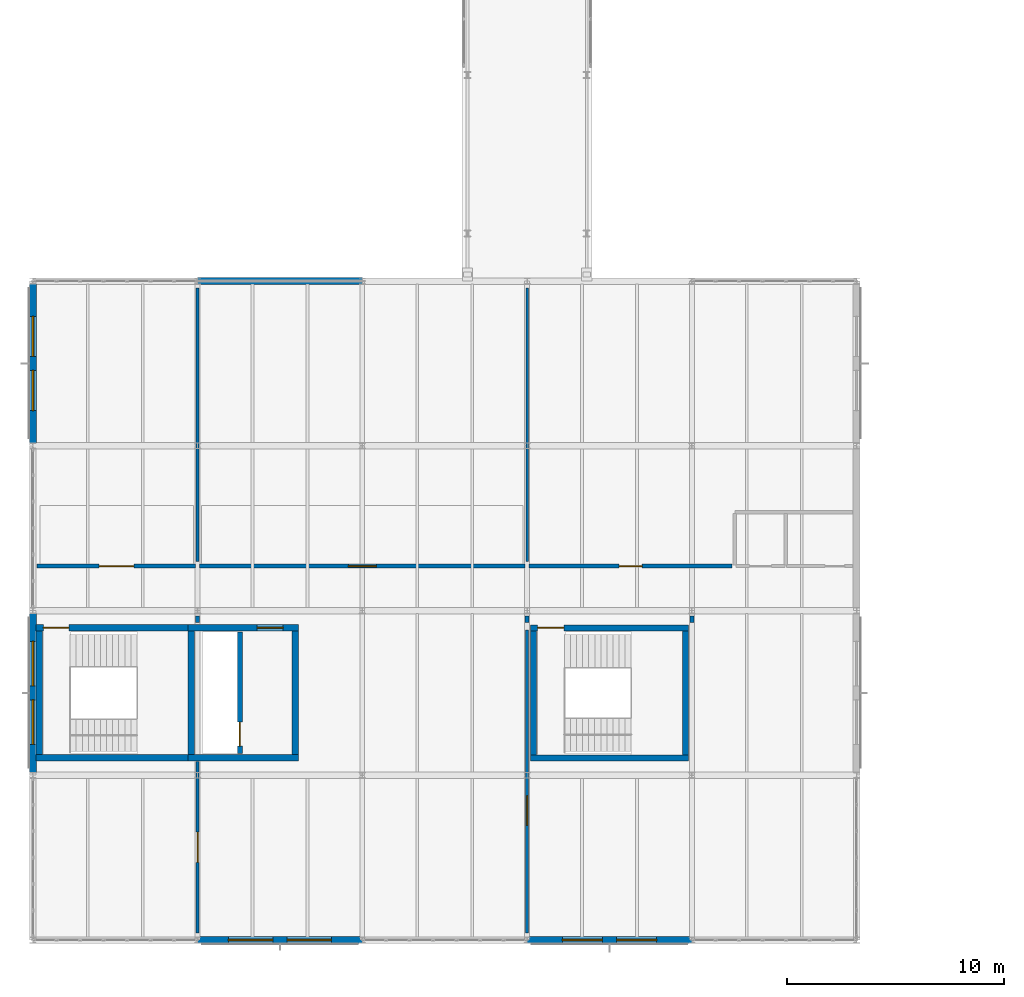
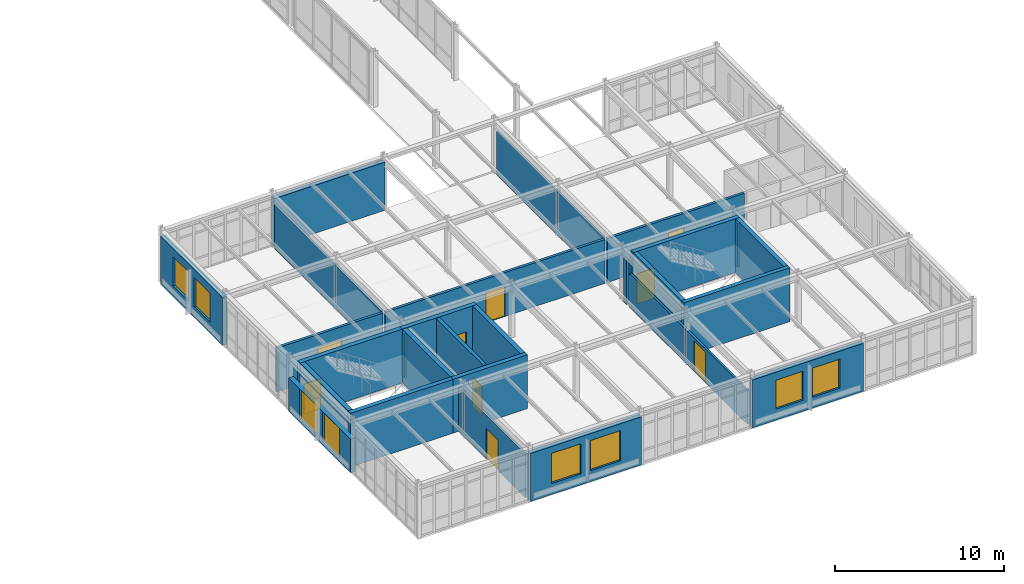
# One storey, part 132 of 165: 27 walls, 9 doors, 8 windows, 17 openings.
"""IFC4 building model written with IfcOpenShell, lengths in metres."""

from ifc_helpers import new_model, si_unit, direction, frame, frame_2d, origin, place, context, subcontext, project, spatial, rectangle, extrude, material, layer, layer_set, type_object, element, fill, save


model = new_model("IFC4")

# Units and contexts
model_context = context("Model", 3, precision=1e-05, world=origin(), true_north=direction((0.0, 1.0)))
body_context = subcontext(model_context, "Body", "Model", "MODEL_VIEW")
ifc_project = project(units=[si_unit("LENGTHUNIT", "METRE"), si_unit("AREAUNIT", "SQUARE_METRE"), si_unit("VOLUMEUNIT", "CUBIC_METRE"), si_unit("PLANEANGLEUNIT", "RADIAN"), si_unit("MASSUNIT", "GRAM", prefix="KILO")], contexts=[model_context])

# Site, building, storey
site_placement = place(None, origin())
site = spatial("IfcSite", under=ifc_project, at=site_placement, CompositionType="ELEMENT")
building_placement = place(site_placement, origin())
building = spatial("IfcBuilding", under=site, at=building_placement, Name="Montecoro Central Library", CompositionType="ELEMENT")
storey_placement = place(building_placement, frame((0.0, 0.0, 5.10009765625)))
storey = spatial("IfcBuildingStorey", under=building, at=storey_placement, Name="L01", CompositionType="ELEMENT", Elevation=5.10009765625)

# Wall, openings, windows
ifc_material_1 = material(Name="Roman travertine stone clad concrete C35/45", Category="masonry")
ifc_layer_1 = layer(ifc_material_1, 0.324951171875)
ifc_layer_set_1 = layer_set([ifc_layer_1], Name="Roman travertine stone clad concrete C35/45")
wall_type_1 = type_object("IfcWallType", Name="EW-TRV-325", PredefinedType="SOLIDWALL", material=ifc_layer_set_1)
wall_1_placement = place(storey_placement, frame((12.60400390625, 5.0, 0.0), z_axis=(0.0, 0.0, 1.0), x_axis=(1.0, 0.0, 0.0)))
wall_1 = element("IfcWall", 1, at=wall_1_placement, inside=storey, type_object=wall_type_1, Name="V3-L01-EW-S1", PredefinedType="SOLIDWALL", context=body_context, shape_type="SweptSolid", body=[
    extrude(rectangle(XDim=7.592041015625, YDim=0.324951171875, at=frame_2d((3.7958984375, 0.0))), origin(), (0.0, 0.0, 1.0), 3.47998046875),
])
opening_1_placement = place(wall_1_placement, frame((1.4208984375, 0.0, 0.800048828125)))
opening_1 = element("IfcOpeningElement", 2, at=opening_1_placement, cuts=wall_1, Name="Opening WN-13", PredefinedType="OPENING", context=body_context, shape_type="SweptSolid", body=[
    extrude(rectangle(XDim=2.050048828125, YDim=2.179931640625, at=frame_2d((1.02490234375, 1.08984375))), frame((0.0, 0.17236328125, 0.0), z_axis=(0.0, -1.0, 0.0), x_axis=(1.0, 0.0, 0.0)), (0.0, 0.0, 1.0), 0.344970703125),
])
opening_2_placement = place(wall_1_placement, frame((4.12109375, 0.0, 0.800048828125)))
opening_2 = element("IfcOpeningElement", 3, at=opening_2_placement, cuts=wall_1, Name="Opening WN-13", PredefinedType="OPENING", context=body_context, shape_type="SweptSolid", body=[
    extrude(rectangle(XDim=2.050048828125, YDim=2.179931640625, at=frame_2d((1.02490234375, 1.08984375))), frame((0.0, 0.17236328125, 0.0), z_axis=(0.0, -1.0, 0.0), x_axis=(1.0, 0.0, 0.0)), (0.0, 0.0, 1.0), 0.344970703125),
])
ifc_material_2 = material(Name="Laminated low-E double glazing", Category="glass")
window_type_1 = type_object("IfcWindowType", Name="WN-CHD-205", PartitioningType="SINGLE_PANEL", PredefinedType="WINDOW", material=ifc_material_2)
window_1_placement = place(opening_1_placement, origin())
window_1 = element("IfcWindow", 4, at=window_1_placement, inside=storey, type_object=window_type_1, Name="V3-L01-WN-S1-1", OverallHeight=2.179931640625, OverallWidth=2.050048828125, PartitioningType="SINGLE_PANEL", PredefinedType="WINDOW", context=body_context, shape_type="SweptSolid", body=[
    extrude(rectangle(XDim=2.050048828125, YDim=2.179931640625, at=frame_2d((1.02490234375, 1.08984375))), frame((0.0, 0.030029296875, 0.0), z_axis=(0.0, -1.0, 0.0), x_axis=(1.0, 0.0, 0.0)), (0.0, 0.0, 1.0), 0.06005859375),
])
fill(opening_1, window_1)
window_2_placement = place(opening_2_placement, origin())
window_2 = element("IfcWindow", 5, at=window_2_placement, inside=storey, type_object=window_type_1, Name="V3-L01-WN-S1-2", OverallHeight=2.179931640625, OverallWidth=2.050048828125, PartitioningType="SINGLE_PANEL", PredefinedType="WINDOW", context=body_context, shape_type="SweptSolid", body=[
    extrude(rectangle(XDim=2.050048828125, YDim=2.179931640625, at=frame_2d((1.02490234375, 1.08984375))), frame((0.0, 0.030029296875, 0.0), z_axis=(0.0, -1.0, 0.0), x_axis=(1.0, 0.0, 0.0)), (0.0, 0.0, 1.0), 0.06005859375),
])
fill(opening_2, window_2)

wall_2_placement = place(storey_placement, frame((27.803955078125, 5.0, 0.0), z_axis=(0.0, 0.0, 1.0), x_axis=(1.0, 0.0, 0.0)))
wall_2 = element("IfcWall", 6, at=wall_2_placement, inside=storey, type_object=wall_type_1, Name="V3-L01-EW-S3", PredefinedType="SOLIDWALL", context=body_context, shape_type="SweptSolid", body=[
    extrude(rectangle(XDim=7.592041015625, YDim=0.324951171875, at=frame_2d((3.7958984375, 0.0))), origin(), (0.0, 0.0, 1.0), 3.47998046875),
])
opening_3_placement = place(wall_2_placement, frame((1.62109375, 0.0, 0.800048828125)))
opening_3 = element("IfcOpeningElement", 7, at=opening_3_placement, cuts=wall_2, Name="Opening WN-11", PredefinedType="OPENING", context=body_context, shape_type="SweptSolid", body=[
    extrude(rectangle(XDim=1.85009765625, YDim=2.10009765625, at=frame_2d((0.925048828125, 1.050048828125))), frame((0.0, 0.17236328125, 0.0), z_axis=(0.0, -1.0, 0.0), x_axis=(1.0, 0.0, 0.0)), (0.0, 0.0, 1.0), 0.344970703125),
])
opening_4_placement = place(wall_2_placement, frame((4.12109375, 0.0, 0.800048828125)))
opening_4 = element("IfcOpeningElement", 8, at=opening_4_placement, cuts=wall_2, Name="Opening WN-11", PredefinedType="OPENING", context=body_context, shape_type="SweptSolid", body=[
    extrude(rectangle(XDim=1.85009765625, YDim=2.10009765625, at=frame_2d((0.925048828125, 1.050048828125))), frame((0.0, 0.17236328125, 0.0), z_axis=(0.0, -1.0, 0.0), x_axis=(1.0, 0.0, 0.0)), (0.0, 0.0, 1.0), 0.344970703125),
])
window_type_2 = type_object("IfcWindowType", Name="WN-CHD-185", PartitioningType="SINGLE_PANEL", PredefinedType="WINDOW", material=ifc_material_2)
window_3_placement = place(opening_3_placement, origin())
window_3 = element("IfcWindow", 9, at=window_3_placement, inside=storey, type_object=window_type_2, Name="V3-L01-WN-S3-1", OverallHeight=2.10009765625, OverallWidth=1.85009765625, PartitioningType="SINGLE_PANEL", PredefinedType="WINDOW", context=body_context, shape_type="SweptSolid", body=[
    extrude(rectangle(XDim=1.85009765625, YDim=2.10009765625, at=frame_2d((0.925048828125, 1.050048828125))), frame((0.0, 0.030029296875, 0.0), z_axis=(0.0, -1.0, 0.0), x_axis=(1.0, 0.0, 0.0)), (0.0, 0.0, 1.0), 0.06005859375),
])
fill(opening_3, window_3)
window_4_placement = place(opening_4_placement, origin())
window_4 = element("IfcWindow", 10, at=window_4_placement, inside=storey, type_object=window_type_2, Name="V3-L01-WN-S3-2", OverallHeight=2.10009765625, OverallWidth=1.85009765625, PartitioningType="SINGLE_PANEL", PredefinedType="WINDOW", context=body_context, shape_type="SweptSolid", body=[
    extrude(rectangle(XDim=1.85009765625, YDim=2.10009765625, at=frame_2d((0.925048828125, 1.050048828125))), frame((0.0, 0.030029296875, 0.0), z_axis=(0.0, -1.0, 0.0), x_axis=(1.0, 0.0, 0.0)), (0.0, 0.0, 1.0), 0.06005859375),
])
fill(opening_4, window_4)

# Wall
wall_3_placement = place(storey_placement, frame((20.196044921875, 35.39990234375, 0.0), z_axis=(0.0, 0.0, 1.0), x_axis=(-1.0, 0.0, 0.0)))
element("IfcWall", 11, at=wall_3_placement, inside=storey, type_object=wall_type_1, Name="V3-L01-EW-N1", PredefinedType="SOLIDWALL", context=body_context, shape_type="SweptSolid", body=[
    extrude(rectangle(XDim=7.592041015625, YDim=0.324951171875, at=frame_2d((3.7958984375, 0.0))), origin(), (0.0, 0.0, 1.0), 3.47998046875),
])

# Wall, openings, windows
wall_4_placement = place(storey_placement, frame((5.0, 35.261962890625, 0.0), z_axis=(0.0, 0.0, 1.0), x_axis=(0.0, -1.0, 0.0)))
wall_4 = element("IfcWall", 12, at=wall_4_placement, inside=storey, type_object=wall_type_1, Name="V3-L01-EW-W3", PredefinedType="SOLIDWALL", context=body_context, shape_type="SweptSolid", body=[
    extrude(rectangle(XDim=7.323974609375, YDim=0.324951171875, at=frame_2d((3.662109375, 0.0))), origin(), (0.0, 0.0, 1.0), 3.47998046875),
])
opening_5_placement = place(wall_4_placement, frame((1.487060546875, 0.0, 0.800048828125)))
opening_5 = element("IfcOpeningElement", 13, at=opening_5_placement, cuts=wall_4, Name="Opening WN-11", PredefinedType="OPENING", context=body_context, shape_type="SweptSolid", body=[
    extrude(rectangle(XDim=1.85009765625, YDim=2.10009765625, at=frame_2d((0.925048828125, 1.050048828125))), frame((0.0, 0.17236328125, 0.0), z_axis=(0.0, -1.0, 0.0), x_axis=(1.0, 0.0, 0.0)), (0.0, 0.0, 1.0), 0.344970703125),
])
opening_6_placement = place(wall_4_placement, frame((3.987060546875, 0.0, 0.800048828125)))
opening_6 = element("IfcOpeningElement", 14, at=opening_6_placement, cuts=wall_4, Name="Opening WN-11", PredefinedType="OPENING", context=body_context, shape_type="SweptSolid", body=[
    extrude(rectangle(XDim=1.85009765625, YDim=2.10009765625, at=frame_2d((0.925048828125, 1.050048828125))), frame((0.0, 0.17236328125, 0.0), z_axis=(0.0, -1.0, 0.0), x_axis=(1.0, 0.0, 0.0)), (0.0, 0.0, 1.0), 0.344970703125),
])
window_5_placement = place(opening_5_placement, origin())
window_5 = element("IfcWindow", 15, at=window_5_placement, inside=storey, type_object=window_type_2, Name="V3-L01-WN-W3-1", OverallHeight=2.10009765625, OverallWidth=1.85009765625, PartitioningType="SINGLE_PANEL", PredefinedType="WINDOW", context=body_context, shape_type="SweptSolid", body=[
    extrude(rectangle(XDim=1.85009765625, YDim=2.10009765625, at=frame_2d((0.925048828125, 1.050048828125))), frame((0.0, 0.030029296875, 0.0), z_axis=(0.0, -1.0, 0.0), x_axis=(1.0, 0.0, 0.0)), (0.0, 0.0, 1.0), 0.06005859375),
])
fill(opening_5, window_5)
window_6_placement = place(opening_6_placement, origin())
window_6 = element("IfcWindow", 16, at=window_6_placement, inside=storey, type_object=window_type_2, Name="V3-L01-WN-W3-2", OverallHeight=2.10009765625, OverallWidth=1.85009765625, PartitioningType="SINGLE_PANEL", PredefinedType="WINDOW", context=body_context, shape_type="SweptSolid", body=[
    extrude(rectangle(XDim=1.85009765625, YDim=2.10009765625, at=frame_2d((0.925048828125, 1.050048828125))), frame((0.0, 0.030029296875, 0.0), z_axis=(0.0, -1.0, 0.0), x_axis=(1.0, 0.0, 0.0)), (0.0, 0.0, 1.0), 0.06005859375),
])
fill(opening_6, window_6)

wall_5_placement = place(storey_placement, frame((5.0, 20.06201171875, 0.0), z_axis=(0.0, 0.0, 1.0), x_axis=(0.0, -1.0, 0.0)))
wall_5 = element("IfcWall", 17, at=wall_5_placement, inside=storey, type_object=wall_type_1, Name="V3-L01-EW-W1", PredefinedType="SOLIDWALL", context=body_context, shape_type="SweptSolid", body=[
    extrude(rectangle(XDim=7.323974609375, YDim=0.324951171875, at=frame_2d((3.662109375, 0.0))), origin(), (0.0, 0.0, 1.0), 2.44482421875),
])
opening_7_placement = place(wall_5_placement, frame((1.287109375, 0.0, 0.25)))
opening_7 = element("IfcOpeningElement", 18, at=opening_7_placement, cuts=wall_5, Name="Opening WN-13", PredefinedType="OPENING", context=body_context, shape_type="SweptSolid", body=[
    extrude(rectangle(XDim=2.050048828125, YDim=2.179931640625, at=frame_2d((1.02490234375, 1.08984375))), frame((0.0, 0.17236328125, 0.0), z_axis=(0.0, -1.0, 0.0), x_axis=(1.0, 0.0, 0.0)), (0.0, 0.0, 1.0), 0.344970703125),
])
opening_8_placement = place(wall_5_placement, frame((3.987060546875, 0.0, 0.25)))
opening_8 = element("IfcOpeningElement", 19, at=opening_8_placement, cuts=wall_5, Name="Opening WN-13", PredefinedType="OPENING", context=body_context, shape_type="SweptSolid", body=[
    extrude(rectangle(XDim=2.050048828125, YDim=2.179931640625, at=frame_2d((1.02490234375, 1.08984375))), frame((0.0, 0.17236328125, 0.0), z_axis=(0.0, -1.0, 0.0), x_axis=(1.0, 0.0, 0.0)), (0.0, 0.0, 1.0), 0.344970703125),
])
window_7_placement = place(opening_7_placement, origin())
window_7 = element("IfcWindow", 20, at=window_7_placement, inside=storey, type_object=window_type_1, Name="V3-L01-WN-W1-1", OverallHeight=2.179931640625, OverallWidth=2.050048828125, PartitioningType="SINGLE_PANEL", PredefinedType="WINDOW", context=body_context, shape_type="SweptSolid", body=[
    extrude(rectangle(XDim=2.050048828125, YDim=2.179931640625, at=frame_2d((1.02490234375, 1.08984375))), frame((0.0, 0.030029296875, 0.0), z_axis=(0.0, -1.0, 0.0), x_axis=(1.0, 0.0, 0.0)), (0.0, 0.0, 1.0), 0.06005859375),
])
fill(opening_7, window_7)
window_8_placement = place(opening_8_placement, origin())
window_8 = element("IfcWindow", 21, at=window_8_placement, inside=storey, type_object=window_type_1, Name="V3-L01-WN-W1-2", OverallHeight=2.179931640625, OverallWidth=2.050048828125, PartitioningType="SINGLE_PANEL", PredefinedType="WINDOW", context=body_context, shape_type="SweptSolid", body=[
    extrude(rectangle(XDim=2.050048828125, YDim=2.179931640625, at=frame_2d((1.02490234375, 1.08984375))), frame((0.0, 0.030029296875, 0.0), z_axis=(0.0, -1.0, 0.0), x_axis=(1.0, 0.0, 0.0)), (0.0, 0.0, 1.0), 0.06005859375),
])
fill(opening_8, window_8)

# Wall, opening, door
ifc_material_3 = material(Name="Gypsum fire-rated partition")
ifc_layer_2 = layer(ifc_material_3, 0.179931640625)
ifc_layer_set_2 = layer_set([ifc_layer_2], Name="Gypsum fire-rated partition")
wall_type_2 = type_object("IfcWallType", Name="IW-COR-180", PredefinedType="PARTITIONING", material=ifc_layer_set_2)
wall_6_placement = place(storey_placement, frame((5.199951171875, 22.25, 0.0), z_axis=(0.0, 0.0, 1.0), x_axis=(1.0, 0.0, 0.0)))
wall_6 = element("IfcWall", 22, at=wall_6_placement, inside=storey, type_object=wall_type_2, Name="CORW-V3-L01-01", PredefinedType="PARTITIONING", context=body_context, shape_type="SweptSolid", body=[
    extrude(rectangle(XDim=7.31005859375, YDim=0.179931640625, at=frame_2d((3.655029296875, 0.0))), origin(), (0.0, 0.0, 1.0), 3.179931640625),
])
opening_9_placement = place(wall_6_placement, frame((2.85498046875, 0.0, 0.0)))
opening_9 = element("IfcOpeningElement", 23, at=opening_9_placement, cuts=wall_6, Name="Opening ID-06", PredefinedType="OPENING", context=body_context, shape_type="SweptSolid", body=[
    extrude(rectangle(XDim=1.60009765625, YDim=2.25, at=frame_2d((0.800048828125, 1.125))), frame((0.0, 0.099853515625, 0.0), z_axis=(0.0, -1.0, 0.0), x_axis=(1.0, 0.0, 0.0)), (0.0, 0.0, 1.0), 0.199951171875),
])
ifc_material_4 = material(Name="Solid oak and fire-rated steel door", Category="steel")
door_type_1 = type_object("IfcDoorType", Name="ID-COR-160", OperationType="NOTDEFINED", PredefinedType="DOOR", material=ifc_material_4)
door_1_placement = place(opening_9_placement, origin())
door_1 = element("IfcDoor", 24, at=door_1_placement, inside=storey, type_object=door_type_1, Name="DR-SP-V3-L01-R1P1", OperationType="DOUBLE_DOOR_SINGLE_SWING", OverallHeight=2.25, OverallWidth=1.60009765625, PredefinedType="DOOR", context=body_context, shape_type="SweptSolid", body=[
    extrude(rectangle(XDim=1.60009765625, YDim=2.25, at=frame_2d((0.800048828125, 1.125))), frame((0.0, 0.02490234375, 0.0), z_axis=(0.0, -1.0, 0.0), x_axis=(1.0, 0.0, 0.0)), (0.0, 0.0, 1.0), 0.050048828125),
])
fill(opening_9, door_1)

wall_7_placement = place(storey_placement, frame((12.68994140625, 22.25, 0.0), z_axis=(0.0, 0.0, 1.0), x_axis=(1.0, 0.0, 0.0)))
wall_7 = element("IfcWall", 25, at=wall_7_placement, inside=storey, type_object=wall_type_2, Name="CORW-V3-L01-02", PredefinedType="PARTITIONING", context=body_context, shape_type="SweptSolid", body=[
    extrude(rectangle(XDim=15.02001953125, YDim=0.179931640625, at=frame_2d((7.510009765625, 0.0))), origin(), (0.0, 0.0, 1.0), 3.179931640625),
])
opening_10_placement = place(wall_7_placement, frame((6.860107421875, 0.0, 0.0)))
opening_10 = element("IfcOpeningElement", 26, at=opening_10_placement, cuts=wall_7, Name="Opening ID-04", PredefinedType="OPENING", context=body_context, shape_type="SweptSolid", body=[
    extrude(rectangle(XDim=1.300048828125, YDim=2.199951171875, at=frame_2d((0.64990234375, 1.10009765625))), frame((0.0, 0.099853515625, 0.0), z_axis=(0.0, -1.0, 0.0), x_axis=(1.0, 0.0, 0.0)), (0.0, 0.0, 1.0), 0.199951171875),
])
door_type_2 = type_object("IfcDoorType", Name="ID-VLT-130", OperationType="NOTDEFINED", PredefinedType="DOOR", material=ifc_material_4)
door_2_placement = place(opening_10_placement, origin())
door_2 = element("IfcDoor", 27, at=door_2_placement, inside=storey, type_object=door_type_2, Name="DR-SP-V3-L01-R2P1", OperationType="SINGLE_SWING_LEFT", OverallHeight=2.199951171875, OverallWidth=1.300048828125, PredefinedType="DOOR", context=body_context, shape_type="SweptSolid", body=[
    extrude(rectangle(XDim=1.300048828125, YDim=2.199951171875, at=frame_2d((0.64990234375, 1.10009765625))), frame((0.0, 0.02490234375, 0.0), z_axis=(0.0, -1.0, 0.0), x_axis=(1.0, 0.0, 0.0)), (0.0, 0.0, 1.0), 0.050048828125),
])
fill(opening_10, door_2)

wall_8_placement = place(storey_placement, frame((27.889892578125, 22.25, 0.0), z_axis=(0.0, 0.0, 1.0), x_axis=(1.0, 0.0, 0.0)))
wall_8 = element("IfcWall", 28, at=wall_8_placement, inside=storey, type_object=wall_type_2, Name="CORW-V3-L01-03", PredefinedType="PARTITIONING", context=body_context, shape_type="SweptSolid", body=[
    extrude(rectangle(XDim=9.3701171875, YDim=0.179931640625, at=frame_2d((4.68505859375, 0.0))), origin(), (0.0, 0.0, 1.0), 3.179931640625),
])
opening_11_placement = place(wall_8_placement, frame((4.159912109375, 0.0, 0.0)))
opening_11 = element("IfcOpeningElement", 29, at=opening_11_placement, cuts=wall_8, Name="Opening ID-13", PredefinedType="OPENING", context=body_context, shape_type="SweptSolid", body=[
    extrude(rectangle(XDim=1.050048828125, YDim=2.14990234375, at=frame_2d((0.52490234375, 1.074951171875))), frame((0.0, 0.099853515625, 0.0), z_axis=(0.0, -1.0, 0.0), x_axis=(1.0, 0.0, 0.0)), (0.0, 0.0, 1.0), 0.199951171875),
])
door_type_3 = type_object("IfcDoorType", Name="ID-RM-105", OperationType="NOTDEFINED", PredefinedType="DOOR", material=ifc_material_4)
door_3_placement = place(opening_11_placement, origin())
door_3 = element("IfcDoor", 30, at=door_3_placement, inside=storey, type_object=door_type_3, Name="DR-SP-V3-L01-R3P1", OperationType="SINGLE_SWING_LEFT", OverallHeight=2.14990234375, OverallWidth=1.050048828125, PredefinedType="DOOR", context=body_context, shape_type="SweptSolid", body=[
    extrude(rectangle(XDim=1.050048828125, YDim=2.14990234375, at=frame_2d((0.52490234375, 1.074951171875))), frame((0.0, 0.02490234375, 0.0), z_axis=(0.0, -1.0, 0.0), x_axis=(1.0, 0.0, 0.0)), (0.0, 0.0, 1.0), 0.050048828125),
])
fill(opening_11, door_3)

# Walls
for number, where, z_axis, x_axis, name in (
    (31, (12.60009765625, 19.639892578125, 0.0), (0.0, 0.0, 1.0), (0.0, 1.0, 0.0), "PIL-V3-L01-1"),
    (32, (27.800048828125, 19.639892578125, 0.0), (0.0, 0.0, 1.0), (0.0, 1.0, 0.0), "PIL-V3-L01-2"),
    (33, (35.39990234375, 19.639892578125, 0.0), (0.0, 0.0, 1.0), (0.0, 1.0, 0.0), "PIL-V3-L01-3"),
):
    element("IfcWall", number, at=place(storey_placement, frame(where, z_axis=z_axis, x_axis=x_axis)), inside=storey, type_object=wall_type_2, Name=name, PredefinedType="PARTITIONING", context=body_context, shape_type="SweptSolid", body=[
        extrude(rectangle(XDim=0.320068359375, YDim=0.179931640625, at=frame_2d((0.16015625, 0.0))), origin(), (0.0, 0.0, 1.0), 3.179931640625),
    ])

# Wall, opening, door
ifc_material_5 = material(Name="Concrete C32/40", Category="concrete")
ifc_layer_3 = layer(ifc_material_5, 0.219970703125)
ifc_layer_set_3 = layer_set([ifc_layer_3], Name="Concrete C32/40")
wall_type_3 = type_object("IfcWallType", Name="IW-FFL-220", PredefinedType="SOLIDWALL", material=ifc_layer_set_3)
wall_9_placement = place(storey_placement, frame((14.550048828125, 13.60009765625, 0.0), z_axis=(0.0, 0.0, 1.0), x_axis=(0.0, 1.0, 0.0)))
wall_9 = element("IfcWall", 34, at=wall_9_placement, inside=storey, type_object=wall_type_3, Name="C4-L01-WLSH", PredefinedType="SOLIDWALL", context=body_context, shape_type="SweptSolid", body=[
    extrude(rectangle(XDim=5.599853515625, YDim=0.219970703125, at=frame_2d((2.7998046875, 0.0))), origin(), (0.0, 0.0, 1.0), 3.90185546875),
])
opening_12_placement = place(wall_9_placement, frame((0.35009765625, 0.0, 0.0)))
opening_12 = element("IfcOpeningElement", 35, at=opening_12_placement, cuts=wall_9, Name="Opening LD-01", PredefinedType="OPENING", context=body_context, shape_type="SweptSolid", body=[
    extrude(rectangle(XDim=1.10009765625, YDim=2.14990234375, at=frame_2d((0.550048828125, 1.074951171875))), frame((0.0, 0.119873046875, 0.0), z_axis=(0.0, -1.0, 0.0), x_axis=(1.0, 0.0, 0.0)), (0.0, 0.0, 1.0), 0.239990234375),
])
door_type_4 = type_object("IfcDoorType", Name="LD-LIFT-110", OperationType="NOTDEFINED", PredefinedType="DOOR", material=ifc_material_4)
door_4_placement = place(opening_12_placement, origin())
door_4 = element("IfcDoor", 36, at=door_4_placement, inside=storey, type_object=door_type_4, Name="C4-L01-LD-PL-04", OperationType="SLIDING_TO_LEFT", OverallHeight=2.14990234375, OverallWidth=1.10009765625, PredefinedType="DOOR", context=body_context, shape_type="SweptSolid", body=[
    extrude(rectangle(XDim=1.10009765625, YDim=2.14990234375, at=frame_2d((0.550048828125, 1.074951171875))), frame((0.0, 0.02490234375, 0.0), z_axis=(0.0, -1.0, 0.0), x_axis=(1.0, 0.0, 0.0)), (0.0, 0.0, 1.0), 0.050048828125),
])
fill(opening_12, door_4)

# Walls
ifc_material_6 = material(Name="Gypsum metal-stud partition")
ifc_layer_4 = layer(ifc_material_6, 0.1201171875)
ifc_layer_set_4 = layer_set([ifc_layer_4], Name="Gypsum metal-stud partition")
wall_type_4 = type_object("IfcWallType", Name="IW-PRT-120", PredefinedType="PARTITIONING", material=ifc_layer_set_4)
wall_10_placement = place(storey_placement, frame((27.800048828125, 22.4599609375, 0.0), z_axis=(0.0, 0.0, 1.0), x_axis=(0.0, 1.0, 0.0)))
element("IfcWall", 37, at=wall_10_placement, inside=storey, type_object=wall_type_4, Name="DIVW-V3-L01-02-1", PredefinedType="PARTITIONING", context=body_context, shape_type="SweptSolid", body=[
    extrude(rectangle(XDim=12.6201171875, YDim=0.1201171875, at=frame_2d((6.31005859375, 0.0))), origin(), (0.0, 0.0, 1.0), 3.179931640625),
])
ifc_layer_5 = layer(ifc_material_6, 0.139892578125)
ifc_layer_set_5 = layer_set([ifc_layer_5], Name="Gypsum metal-stud partition")
wall_type_5 = type_object("IfcWallType", Name="IW-PRT-140", PredefinedType="PARTITIONING", material=ifc_layer_set_5)
wall_11_placement = place(storey_placement, frame((12.60009765625, 22.4599609375, 0.0), z_axis=(0.0, 0.0, 1.0), x_axis=(0.0, 1.0, 0.0)))
element("IfcWall", 38, at=wall_11_placement, inside=storey, type_object=wall_type_5, Name="DIVW-V3-L01-01-1", PredefinedType="PARTITIONING", context=body_context, shape_type="SweptSolid", body=[
    extrude(rectangle(XDim=12.6201171875, YDim=0.139892578125, at=frame_2d((6.31005859375, 0.0))), origin(), (0.0, 0.0, 1.0), 3.179931640625),
])

# Wall, opening, door
wall_12_placement = place(storey_placement, frame((12.60009765625, 5.320068359375, 0.0), z_axis=(0.0, 0.0, 1.0), x_axis=(0.0, 1.0, 0.0)))
wall_12 = element("IfcWall", 39, at=wall_12_placement, inside=storey, type_object=wall_type_5, Name="DIVWS-V3-L01-01-1", PredefinedType="PARTITIONING", context=body_context, shape_type="SweptSolid", body=[
    extrude(rectangle(XDim=7.919921875, YDim=0.139892578125, at=frame_2d((3.9599609375, 0.0))), origin(), (0.0, 0.0, 1.0), 3.179931640625),
])
opening_13_placement = place(wall_12_placement, frame((3.260009765625, 0.0, 0.0)))
opening_13 = element("IfcOpeningElement", 40, at=opening_13_placement, cuts=wall_12, Name="Opening ID-08", PredefinedType="OPENING", context=body_context, shape_type="SweptSolid", body=[
    extrude(rectangle(XDim=1.39990234375, YDim=2.219970703125, at=frame_2d((0.699951171875, 1.10986328125))), frame((0.0, 0.079833984375, 0.0), z_axis=(0.0, -1.0, 0.0), x_axis=(1.0, 0.0, 0.0)), (0.0, 0.0, 1.0), 0.159912109375),
])
door_type_5 = type_object("IfcDoorType", Name="ID-RDG-140", OperationType="NOTDEFINED", PredefinedType="DOOR", material=ifc_material_4)
door_5_placement = place(opening_13_placement, origin())
door_5 = element("IfcDoor", 41, at=door_5_placement, inside=storey, type_object=door_type_5, Name="DR-SP-V3-L01-R1P2", OperationType="SINGLE_SWING_RIGHT", OverallHeight=2.219970703125, OverallWidth=1.39990234375, PredefinedType="DOOR", context=body_context, shape_type="SweptSolid", body=[
    extrude(rectangle(XDim=1.39990234375, YDim=2.219970703125, at=frame_2d((0.699951171875, 1.10986328125))), frame((0.0, 0.02490234375, 0.0), z_axis=(0.0, -1.0, 0.0), x_axis=(1.0, 0.0, 0.0)), (0.0, 0.0, 1.0), 0.050048828125),
])
fill(opening_13, door_5)

wall_13_placement = place(storey_placement, frame((27.800048828125, 5.320068359375, 0.0), z_axis=(0.0, 0.0, 1.0), x_axis=(0.0, 1.0, 0.0)))
wall_13 = element("IfcWall", 42, at=wall_13_placement, inside=storey, type_object=wall_type_5, Name="DIVWS-V3-L01-02-1", PredefinedType="PARTITIONING", context=body_context, shape_type="SweptSolid", body=[
    extrude(rectangle(XDim=13.989990234375, YDim=0.139892578125, at=frame_2d((6.9951171875, 0.0))), origin(), (0.0, 0.0, 1.0), 2.44482421875),
])
opening_14_placement = place(wall_13_placement, frame((4.965087890625, 0.0, 0.0)))
opening_14 = element("IfcOpeningElement", 43, at=opening_14_placement, cuts=wall_13, Name="Opening ID-05", PredefinedType="OPENING", context=body_context, shape_type="SweptSolid", body=[
    extrude(rectangle(XDim=1.360107421875, YDim=2.199951171875, at=frame_2d((0.68017578125, 1.10009765625))), frame((0.0, 0.079833984375, 0.0), z_axis=(0.0, -1.0, 0.0), x_axis=(1.0, 0.0, 0.0)), (0.0, 0.0, 1.0), 0.159912109375),
])
door_type_6 = type_object("IfcDoorType", Name="ID-VLT-136", OperationType="NOTDEFINED", PredefinedType="DOOR", material=ifc_material_4)
door_6_placement = place(opening_14_placement, origin())
door_6 = element("IfcDoor", 44, at=door_6_placement, inside=storey, type_object=door_type_6, Name="DR-SP-V3-L01-R2P2", OperationType="SINGLE_SWING_RIGHT", OverallHeight=2.199951171875, OverallWidth=1.360107421875, PredefinedType="DOOR", context=body_context, shape_type="SweptSolid", body=[
    extrude(rectangle(XDim=1.360107421875, YDim=2.199951171875, at=frame_2d((0.68017578125, 1.10009765625))), frame((0.0, 0.02490234375, 0.0), z_axis=(0.0, -1.0, 0.0), x_axis=(1.0, 0.0, 0.0)), (0.0, 0.0, 1.0), 0.050048828125),
])
fill(opening_14, door_6)

# Wall
ifc_material_7 = material(Name="Concrete C35/45", Category="concrete")
ifc_layer_6 = layer(ifc_material_7, 0.280029296875)
ifc_layer_set_6 = layer_set([ifc_layer_6], Name="Concrete C35/45")
wall_type_6 = type_object("IfcWallType", Name="IW-SHR-280", PredefinedType="SHEAR", material=ifc_layer_set_6)
wall_14_placement = place(storey_placement, frame((27.9599609375, 13.39990234375, 0.0), z_axis=(0.0, 0.0, 1.0), x_axis=(1.0, 0.0, 0.0)))
element("IfcWall", 45, at=wall_14_placement, inside=storey, type_object=wall_type_6, Name="C11-L01-WS", PredefinedType="SHEAR", context=body_context, shape_type="SweptSolid", body=[
    extrude(rectangle(XDim=7.280029296875, YDim=0.280029296875, at=frame_2d((3.64013671875, 0.0))), origin(), (0.0, 0.0, 1.0), 3.90185546875),
])

# Wall, opening, door
wall_15_placement = place(storey_placement, frame((27.9599609375, 19.39990234375, 0.0), z_axis=(0.0, 0.0, 1.0), x_axis=(1.0, 0.0, 0.0)))
wall_15 = element("IfcWall", 46, at=wall_15_placement, inside=storey, type_object=wall_type_6, Name="C11-L01-WN", PredefinedType="SHEAR", context=body_context, shape_type="SweptSolid", body=[
    extrude(rectangle(XDim=7.280029296875, YDim=0.280029296875, at=frame_2d((3.64013671875, 0.0))), origin(), (0.0, 0.0, 1.0), 3.90185546875),
])
opening_15_placement = place(wall_15_placement, frame((0.320068359375, 0.0, 0.0)))
opening_15 = element("IfcOpeningElement", 47, at=opening_15_placement, cuts=wall_15, Name="Opening ID-01", PredefinedType="OPENING", context=body_context, shape_type="SweptSolid", body=[
    extrude(rectangle(XDim=1.219970703125, YDim=2.179931640625, at=frame_2d((0.60986328125, 1.08984375))), frame((0.0, 0.14990234375, 0.0), z_axis=(0.0, -1.0, 0.0), x_axis=(1.0, 0.0, 0.0)), (0.0, 0.0, 1.0), 0.300048828125),
])
door_type_7 = type_object("IfcDoorType", Name="ID-STR-140", OperationType="NOTDEFINED", PredefinedType="DOOR", material=ifc_material_4)
door_7_placement = place(opening_15_placement, origin())
door_7 = element("IfcDoor", 48, at=door_7_placement, inside=storey, type_object=door_type_7, Name="C11-L01-DSTR", OperationType="SINGLE_SWING_LEFT", OverallHeight=2.179931640625, OverallWidth=1.219970703125, PredefinedType="DOOR", context=body_context, shape_type="SweptSolid", body=[
    extrude(rectangle(XDim=1.219970703125, YDim=2.179931640625, at=frame_2d((0.60986328125, 1.08984375))), frame((0.0, 0.02490234375, 0.0), z_axis=(0.0, -1.0, 0.0), x_axis=(1.0, 0.0, 0.0)), (0.0, 0.0, 1.0), 0.050048828125),
])
fill(opening_15, door_7)

# Walls
for number, where, z_axis, x_axis, name in (
    (49, (28.10009765625, 13.5400390625, 0.0), (0.0, 0.0, 1.0), (0.0, 1.0, 0.0), "C11-L01-WW"),
    (50, (35.10009765625, 13.5400390625, 0.0), (0.0, 0.0, 1.0), (0.0, 1.0, 0.0), "C11-L01-WE"),
):
    element("IfcWall", number, at=place(storey_placement, frame(where, z_axis=z_axis, x_axis=x_axis)), inside=storey, type_object=wall_type_6, Name=name, PredefinedType="SHEAR", context=body_context, shape_type="SweptSolid", body=[
        extrude(rectangle(XDim=5.719970703125, YDim=0.280029296875, at=frame_2d((2.85986328125, 0.0))), origin(), (0.0, 0.0, 1.0), 3.90185546875),
    ])
ifc_layer_7 = layer(ifc_material_7, 0.300048828125)
ifc_layer_set_7 = layer_set([ifc_layer_7], Name="Concrete C35/45")
wall_type_7 = type_object("IfcWallType", Name="IW-SHR-300", PredefinedType="SHEAR", material=ifc_layer_set_7)
wall_16_placement = place(storey_placement, frame((12.14990234375, 13.39990234375, 0.0), z_axis=(0.0, 0.0, 1.0), x_axis=(1.0, 0.0, 0.0)))
element("IfcWall", 51, at=wall_16_placement, inside=storey, type_object=wall_type_7, Name="C4-L01-LWS", PredefinedType="SHEAR", context=body_context, shape_type="SweptSolid", body=[
    extrude(rectangle(XDim=5.10009765625, YDim=0.300048828125, at=frame_2d((2.550048828125, 0.0))), origin(), (0.0, 0.0, 1.0), 3.90185546875),
])

# Wall, opening, door
wall_17_placement = place(storey_placement, frame((17.25, 19.39990234375, 0.0), z_axis=(0.0, 0.0, 1.0), x_axis=(-1.0, 0.0, 0.0)))
wall_17 = element("IfcWall", 52, at=wall_17_placement, inside=storey, type_object=wall_type_7, Name="C4-L01-LWN", PredefinedType="SHEAR", context=body_context, shape_type="SweptSolid", body=[
    extrude(rectangle(XDim=5.10009765625, YDim=0.300048828125, at=frame_2d((2.550048828125, 0.0))), origin(), (0.0, 0.0, 1.0), 3.90185546875),
])
opening_16_placement = place(wall_17_placement, frame((0.699951171875, 0.0, 0.0)))
opening_16 = element("IfcOpeningElement", 53, at=opening_16_placement, cuts=wall_17, Name="Opening ID-03", PredefinedType="OPENING", context=body_context, shape_type="SweptSolid", body=[
    extrude(rectangle(XDim=1.199951171875, YDim=2.159912109375, at=frame_2d((0.60009765625, 1.080078125))), frame((0.0, 0.159912109375, 0.0), z_axis=(0.0, -1.0, 0.0), x_axis=(1.0, 0.0, 0.0)), (0.0, 0.0, 1.0), 0.320068359375),
])
door_type_8 = type_object("IfcDoorType", Name="ID-FFL-120", OperationType="NOTDEFINED", PredefinedType="DOOR", material=ifc_material_4)
door_8_placement = place(opening_16_placement, origin())
door_8 = element("IfcDoor", 54, at=door_8_placement, inside=storey, type_object=door_type_8, Name="C4-L01-DLOB", OperationType="SINGLE_SWING_LEFT", OverallHeight=2.159912109375, OverallWidth=1.199951171875, PredefinedType="DOOR", context=body_context, shape_type="SweptSolid", body=[
    extrude(rectangle(XDim=1.199951171875, YDim=2.159912109375, at=frame_2d((0.60009765625, 1.080078125))), frame((0.0, 0.02490234375, 0.0), z_axis=(0.0, -1.0, 0.0), x_axis=(1.0, 0.0, 0.0)), (0.0, 0.0, 1.0), 0.050048828125),
])
fill(opening_16, door_8)

# Walls
wall_18_placement = place(storey_placement, frame((17.10009765625, 13.550048828125, 0.0), z_axis=(0.0, 0.0, 1.0), x_axis=(0.0, 1.0, 0.0)))
element("IfcWall", 55, at=wall_18_placement, inside=storey, type_object=wall_type_7, Name="C4-L01-LWE", PredefinedType="SHEAR", context=body_context, shape_type="SweptSolid", body=[
    extrude(rectangle(XDim=5.699951171875, YDim=0.300048828125, at=frame_2d((2.85009765625, 0.0))), origin(), (0.0, 0.0, 1.0), 3.90185546875),
])
wall_19_placement = place(storey_placement, frame((5.14990234375, 13.39990234375, 0.0), z_axis=(0.0, 0.0, 1.0), x_axis=(1.0, 0.0, 0.0)))
element("IfcWall", 56, at=wall_19_placement, inside=storey, type_object=wall_type_7, Name="C4-L01-WS", PredefinedType="SHEAR", context=body_context, shape_type="SweptSolid", body=[
    extrude(rectangle(XDim=7.300048828125, YDim=0.300048828125, at=frame_2d((3.64990234375, 0.0))), origin(), (0.0, 0.0, 1.0), 3.90185546875),
])

# Wall, opening, door
wall_20_placement = place(storey_placement, frame((5.14990234375, 19.39990234375, 0.0), z_axis=(0.0, 0.0, 1.0), x_axis=(1.0, 0.0, 0.0)))
wall_20 = element("IfcWall", 57, at=wall_20_placement, inside=storey, type_object=wall_type_7, Name="C4-L01-WN", PredefinedType="SHEAR", context=body_context, shape_type="SweptSolid", body=[
    extrude(rectangle(XDim=7.300048828125, YDim=0.300048828125, at=frame_2d((3.64990234375, 0.0))), origin(), (0.0, 0.0, 1.0), 3.90185546875),
])
opening_17_placement = place(wall_20_placement, frame((0.330078125, 0.0, 0.0)))
opening_17 = element("IfcOpeningElement", 58, at=opening_17_placement, cuts=wall_20, Name="Opening ID-02", PredefinedType="OPENING", context=body_context, shape_type="SweptSolid", body=[
    extrude(rectangle(XDim=1.179931640625, YDim=2.179931640625, at=frame_2d((0.58984375, 1.08984375))), frame((0.0, 0.159912109375, 0.0), z_axis=(0.0, -1.0, 0.0), x_axis=(1.0, 0.0, 0.0)), (0.0, 0.0, 1.0), 0.320068359375),
])
door_type_9 = type_object("IfcDoorType", Name="ID-STR-135", OperationType="NOTDEFINED", PredefinedType="DOOR", material=ifc_material_4)
door_9_placement = place(opening_17_placement, origin())
door_9 = element("IfcDoor", 59, at=door_9_placement, inside=storey, type_object=door_type_9, Name="C4-L01-DSTR", OperationType="SINGLE_SWING_RIGHT", OverallHeight=2.179931640625, OverallWidth=1.179931640625, PredefinedType="DOOR", context=body_context, shape_type="SweptSolid", body=[
    extrude(rectangle(XDim=1.179931640625, YDim=2.179931640625, at=frame_2d((0.58984375, 1.08984375))), frame((0.0, 0.02490234375, 0.0), z_axis=(0.0, -1.0, 0.0), x_axis=(1.0, 0.0, 0.0)), (0.0, 0.0, 1.0), 0.050048828125),
])
fill(opening_17, door_9)

# Walls
for number, where, z_axis, x_axis, name in (
    (60, (5.300048828125, 13.550048828125, 0.0), (0.0, 0.0, 1.0), (0.0, 1.0, 0.0), "C4-L01-WW"),
    (61, (12.300048828125, 13.550048828125, 0.0), (0.0, 0.0, 1.0), (0.0, 1.0, 0.0), "C4-L01-WE"),
):
    element("IfcWall", number, at=place(storey_placement, frame(where, z_axis=z_axis, x_axis=x_axis)), inside=storey, type_object=wall_type_7, Name=name, PredefinedType="SHEAR", context=body_context, shape_type="SweptSolid", body=[
        extrude(rectangle(XDim=5.699951171875, YDim=0.300048828125, at=frame_2d((2.85009765625, 0.0))), origin(), (0.0, 0.0, 1.0), 3.90185546875),
    ])

save(model, "model.ifc")
